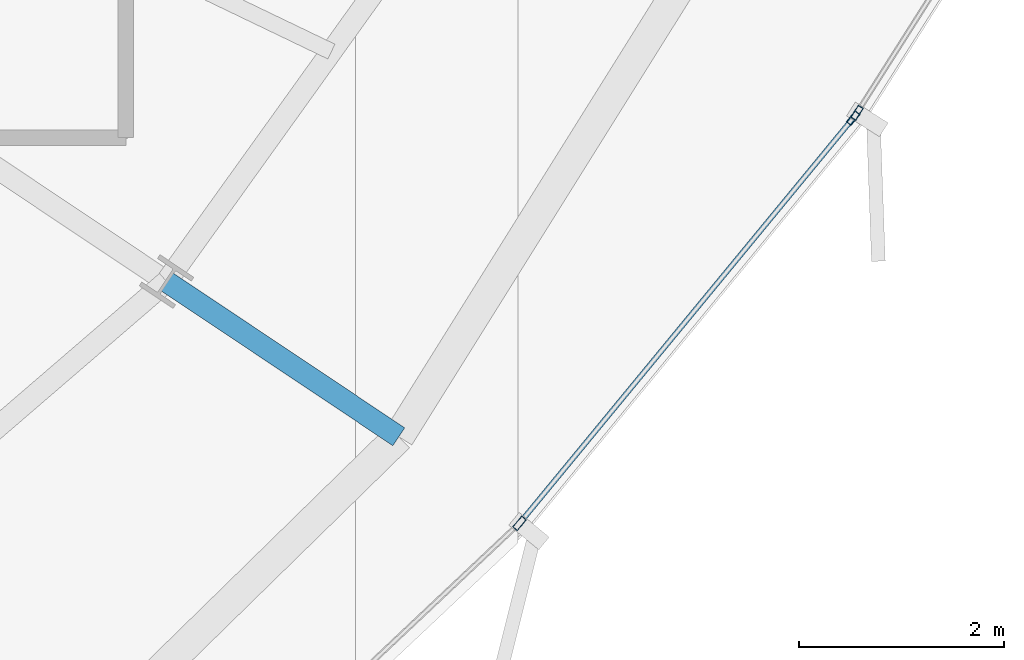
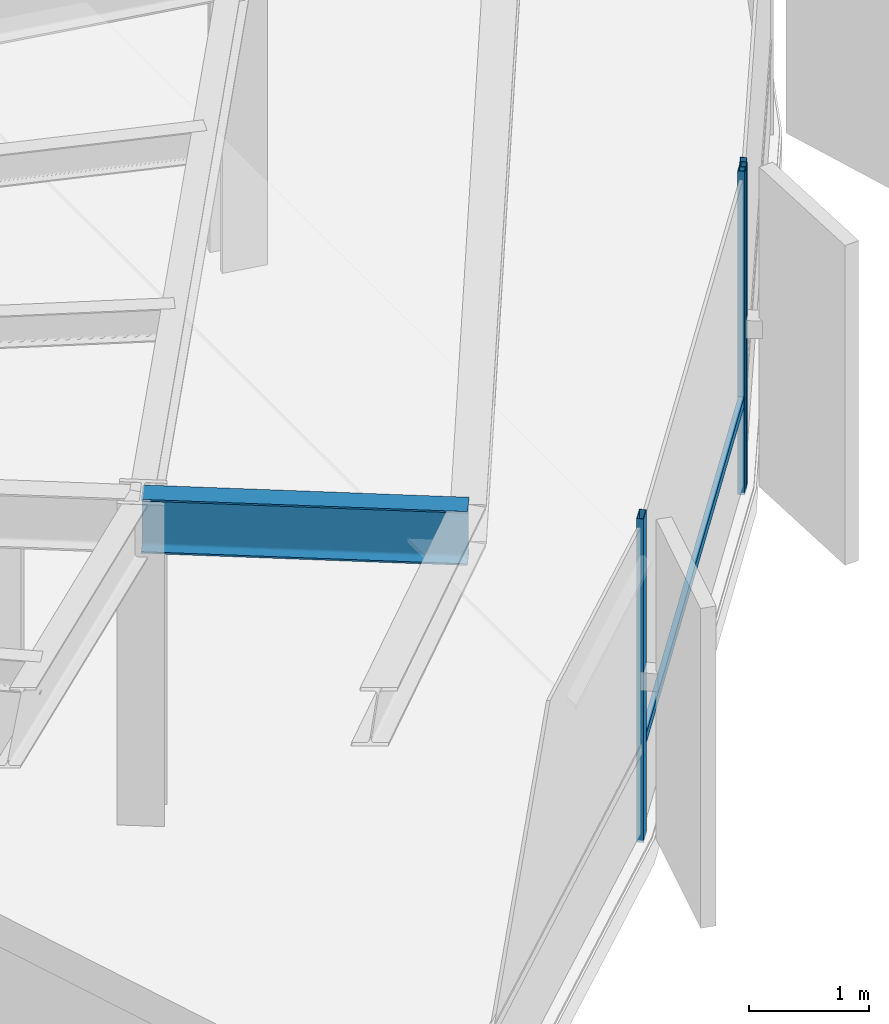
# One storey, part 14 of 32: 4 members, 1 beam, 2 elements without a shape of their own.
"""IFC4 building model written with IfcOpenShell, lengths in metres."""

from ifc_helpers import new_model, si_unit, direction, frame, origin, origin_2d, place, context, subcontext, project, spatial, hollow_rectangle, i_section, extrude, source, transform, mapped, material, layer, layer_set, material_profile, profile_set, type_object, element, aggregate, save


model = new_model("IFC4")

# Units and contexts
model_context = context("Model", 3, precision=1e-05, world=origin(), true_north=direction((0.0, 1.0)))
body_context = subcontext(model_context, "Body", "Model", "MODEL_VIEW")
ifc_project = project(units=[si_unit("LENGTHUNIT", "METRE"), si_unit("AREAUNIT", "SQUARE_METRE"), si_unit("VOLUMEUNIT", "CUBIC_METRE"), si_unit("PLANEANGLEUNIT", "RADIAN"), si_unit("MASSUNIT", "GRAM", prefix="KILO"), si_unit("THERMODYNAMICTEMPERATUREUNIT", "KELVIN")], contexts=[model_context])

# Site, building, storey
site_placement = place(None, origin())
site = spatial("IfcSite", under=ifc_project, at=site_placement, CompositionType="ELEMENT")
building_placement = place(site_placement, origin())
building = spatial("IfcBuilding", under=site, at=building_placement, Name="Kethvar Cultural Tower", CompositionType="ELEMENT")
storey_placement = place(building_placement, frame((0.0, 0.0, 160.75)))
storey = spatial("IfcBuildingStorey", under=building, at=storey_placement, Name="L41", CompositionType="ELEMENT", Elevation=160.75)

# Beam
ifc_material_1 = material(Name="Steel S355J2", Category="steel")
ifc_material_profile_1 = material_profile(ifc_material_1, i_section(OverallWidth=0.2099609375, OverallDepth=0.550048828125, WebThickness=0.010986328125, FlangeThickness=0.01708984375, FilletRadius=0.02392578125, at=origin_2d()), Name="Steel S355J2 — IPE550")
ifc_profile_set_1 = profile_set([ifc_material_profile_1], Name="Steel S355J2 — IPE550")
beam_type = type_object("IfcBeamType", Name="BM-IPE550", PredefinedType="BEAM", material=ifc_profile_set_1)
shared_shape_1 = source(origin(), body_context, "Body", "SweptSolid", [
    extrude(i_section(OverallWidth=0.2099609375, OverallDepth=0.550048828125, WebThickness=0.010986328125, FlangeThickness=0.01708984375, FilletRadius=0.02392578125, at=origin_2d()), origin(), (0.0, 0.0, 1.0), 2.73046875),
])
beam_placement = place(storey_placement, frame((62.898681640625, 17.043212890625, 3.02294921875), z_axis=(0.831444546851, -0.555607744288, 0.0), x_axis=(0.555607744288, 0.831444546851, 0.0)))
element("IfcBeam", 1, at=beam_placement, inside=storey, type_object=beam_type, Name="L41 Perimeter Cantilever Beam RC-15", PredefinedType="BEAM", context=body_context, shape_type="MappedRepresentation", body=[
    mapped(shared_shape_1, transform((0.0, 0.0, 0.0), scale=1.0)),
])

# Curtain wall, members
ifc_material_2 = material(Name="Aluminium 6063-T6", Category="aluminium")
ifc_layer = layer(ifc_material_2, 0.179931640625, Name="Aluminium 6063-T6", Category="aluminium")
ifc_layer_set = layer_set([ifc_layer], Name="Aluminium 6063-T6 (180 mm)")
curtain_wall_type = type_object("IfcCurtainWallType", Name="CW-SYS-04-Z34", PredefinedType="NOTDEFINED", material=ifc_layer_set)
curtain_wall_1_placement = place(storey_placement, origin())
curtain_wall_1 = element("IfcCurtainWall", 2, at=curtain_wall_1_placement, inside=storey, type_object=curtain_wall_type, Name="L41 Curtain Wall Run 05", PredefinedType="NOTDEFINED")
ifc_material_profile_2 = material_profile(ifc_material_2, hollow_rectangle(XDim=0.06005859375, YDim=0.139892578125, WallThickness=0.0048828125, at=origin_2d()), Name="Aluminium 6063-T6 — RHS140x60x5")
ifc_profile_set_2 = profile_set([ifc_material_profile_2], Name="Aluminium 6063-T6 — RHS140x60x5")
member_type_1 = type_object("IfcMemberType", Name="CW-SYS-04-Z34-MUL", PredefinedType="MULLION", material=ifc_profile_set_2)
shared_shape_2 = source(origin(), body_context, "Body", "SweptSolid", [
    extrude(hollow_rectangle(XDim=0.06005859375, YDim=0.139892578125, WallThickness=0.0048828125, at=origin_2d()), origin(), (0.0, 0.0, 1.0), 3.300048828125),
])
member_1_placement = place(storey_placement, frame((66.34912109375, 14.6796875, 0.0), z_axis=(0.0, 0.0, 1.0), x_axis=(-0.771990810138, 0.635633690944, 0.0)))
member_1 = element("IfcMember", 3, at=member_1_placement, type_object=member_type_1, Name="CW-L41-R05 Mullion 6", PredefinedType="MULLION", context=body_context, shape_type="MappedRepresentation", body=[
    mapped(shared_shape_2, transform((0.0, 0.0, 0.0), scale=1.0)),
])
member_2_placement = place(storey_placement, frame((69.610595703125, 18.640625, 0.0), z_axis=(0.0, 0.0, 1.0), x_axis=(-0.771990810138, 0.635633690944, 0.0)))
member_2 = element("IfcMember", 4, at=member_2_placement, type_object=member_type_1, Name="CW-L41-R05 Mullion 7", PredefinedType="MULLION", context=body_context, shape_type="MappedRepresentation", body=[
    mapped(shared_shape_2, transform((0.0, 0.0, 0.0), scale=1.0)),
])

# Curtain wall, member
curtain_wall_2_placement = place(storey_placement, origin())
curtain_wall_2 = element("IfcCurtainWall", 5, at=curtain_wall_2_placement, inside=storey, type_object=curtain_wall_type, Name="L41 Curtain Wall Run 06", PredefinedType="NOTDEFINED")
member_3_placement = place(storey_placement, frame((69.648193359375, 18.692626953125, 0.0), z_axis=(0.0, 0.0, 1.0), x_axis=(-0.844542952129, 0.535487816864, 0.0)))
member_3 = element("IfcMember", 6, at=member_3_placement, type_object=member_type_1, Name="CW-L41-R06 Mullion 1", PredefinedType="MULLION", context=body_context, shape_type="MappedRepresentation", body=[
    mapped(shared_shape_2, transform((0.0, 0.0, 0.0), scale=1.0)),
])
aggregate(curtain_wall_2, [member_3])

# Member
ifc_material_profile_3 = material_profile(ifc_material_2, hollow_rectangle(XDim=0.050048828125, YDim=0.10009765625, WallThickness=0.00390625, at=origin_2d()), Name="Aluminium 6063-T6 — RHS100x50x4")
ifc_profile_set_3 = profile_set([ifc_material_profile_3], Name="Aluminium 6063-T6 — RHS100x50x4")
member_type_2 = type_object("IfcMemberType", Name="CW-SYS-04-Z34-TRN", PredefinedType="USERDEFINED", material=ifc_profile_set_3)
shared_shape_3 = source(origin(), body_context, "Body", "SweptSolid", [
    extrude(hollow_rectangle(XDim=0.050048828125, YDim=0.10009765625, WallThickness=0.00390625, at=origin_2d()), origin(), (0.0, 0.0, 1.0), 5.08349609375),
])
member_4_placement = place(storey_placement, frame((66.376708984375, 14.713134765625, 0.949951171875), z_axis=(0.635638229979, 0.771987072813, 0.0), x_axis=(-0.771987072813, 0.635638229979, 0.0)))
member_4 = element("IfcMember", 7, at=member_4_placement, type_object=member_type_2, Name="CW-L41-R05 Transom 6", ObjectType="TRANSOM", PredefinedType="USERDEFINED", context=body_context, shape_type="MappedRepresentation", body=[
    mapped(shared_shape_3, transform((0.0, 0.0, 0.0), scale=1.0)),
])

aggregate(curtain_wall_1, [member_1, member_2, member_4])

save(model, "model.ifc")
